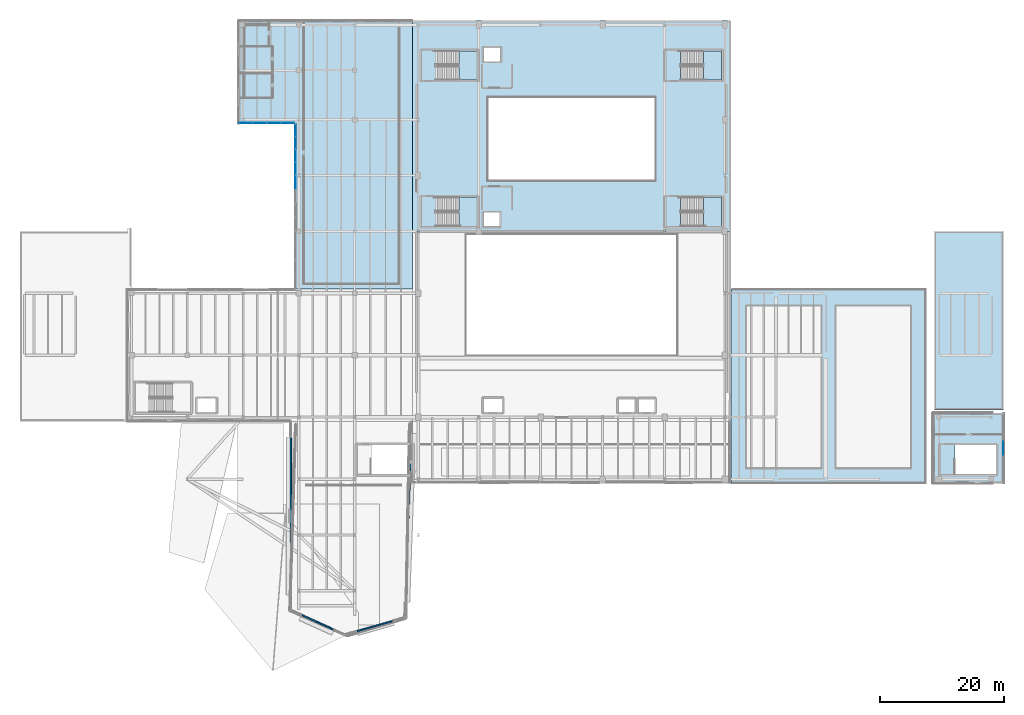
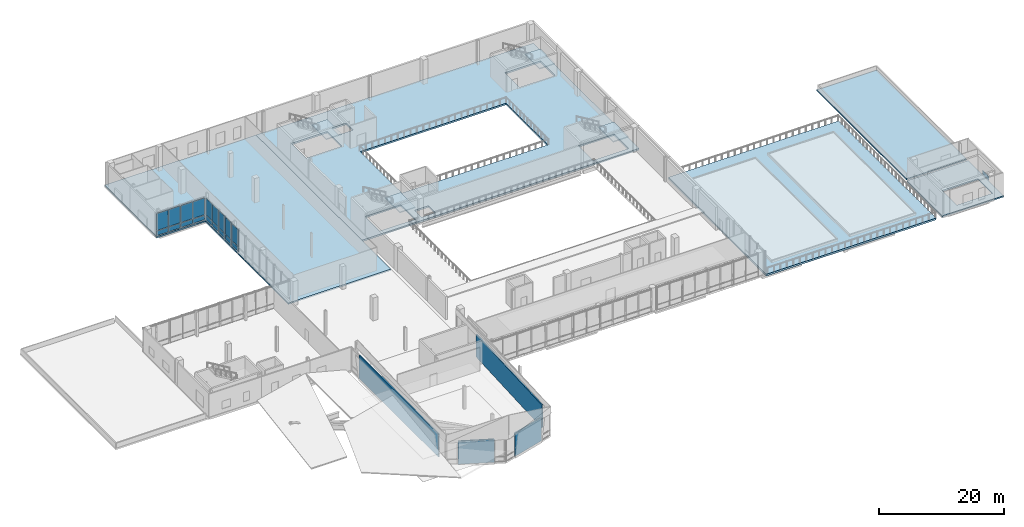
# One storey, part 27 of 41: 19 plates, 9 slabs, 4 walls, 9 elements without a shape of their own.
"""IFC4 building model written with IfcOpenShell, lengths in metres."""

import ifcopenshell
import ifcopenshell.guid

model = None  # the IFC model being written
_history = None  # IfcOwnerHistory: only IFC2X3 demands one
_inside = {}  # id of a spatial element -> (the spatial element, [elements in it])
_under = {}  # id of a project, library or spatial element -> (it, [spatial elements below it])
_declared = {}  # id of a project -> (the project, [libraries it declares])
_typed = {}  # id of a type object -> (the type object, [elements of that type])
_made_of = {}  # id of a material, layer set ... -> (it, [elements and type objects made of it])


def new_model(schema):
    """Start an empty IFC model of exactly this schema.

    Asked for "IFC4X3", IfcOpenShell would pick the latest addendum, in which some entities
    have other attributes; the version numbers below select the first issue.
    IFC2X3 requires an IfcOwnerHistory on every rooted entity: one is made here for all.
    """
    global model, _history
    if schema == "IFC4X3":
        model = ifcopenshell.file(schema_version=(4, 3, 0, 0))
    else:
        model = ifcopenshell.file(schema=schema)
    _inside.clear()
    _under.clear()
    _declared.clear()
    _typed.clear()
    _made_of.clear()
    _history = None
    if model.schema == "IFC2X3":
        org = make("IfcOrganization", Name="unknown")
        user = make(
            "IfcPersonAndOrganization",
            ThePerson=make("IfcPerson", FamilyName="unknown"),
            TheOrganization=org,
        )
        app = make(
            "IfcApplication",
            ApplicationDeveloper=org,
            Version="unknown",
            ApplicationFullName="unknown",
            ApplicationIdentifier="unknown",
        )
        _history = make(
            "IfcOwnerHistory",
            OwningUser=user,
            OwningApplication=app,
            ChangeAction="ADDED",
            CreationDate=0,
        )
    return model


def make(cls, **values):
    """One entity of the class cls with the attributes given. An attribute that is None is left unset."""
    return model.create_entity(
        cls, **{name: value for name, value in values.items() if value is not None}
    )


def rooted(cls, **values):
    """An entity with a GlobalId (a new one), such as an element, a storey or a relation."""
    return make(cls, GlobalId=ifcopenshell.guid.new(), OwnerHistory=_history, **values)


def si_unit(unit_type, name, prefix=None):
    """IfcSIUnit, for example si_unit("LENGTHUNIT", "METRE", prefix="MILLI")."""
    return make("IfcSIUnit", UnitType=unit_type, Prefix=prefix, Name=name)


def assignment(units):
    """IfcUnitAssignment: the units of a project."""
    return None if units is None else make("IfcUnitAssignment", Units=units)


def point(xyz):
    """IfcCartesianPoint."""
    return None if xyz is None else make("IfcCartesianPoint", Coordinates=xyz)


def direction(xyz):
    """IfcDirection."""
    return None if xyz is None else make("IfcDirection", DirectionRatios=xyz)


def frame(location, z_axis=None, x_axis=None):
    """IfcAxis2Placement3D, a coordinate frame: its origin and axes. An axis left out is left unset."""
    return make(
        "IfcAxis2Placement3D",
        Location=point(location),
        Axis=direction(z_axis),
        RefDirection=direction(x_axis),
    )


def frame_2d(location, x_axis=None):
    """IfcAxis2Placement2D, a coordinate frame in the plane: its origin and x axis."""
    return make(
        "IfcAxis2Placement2D", Location=point(location), RefDirection=direction(x_axis)
    )


def origin():
    """The frame at (0, 0, 0) with its axes left unset."""
    return frame((0.0, 0.0, 0.0))


def origin_2d():
    """The frame at (0, 0) in the plane with its x axis left unset."""
    return frame_2d((0.0, 0.0))


def place(relative_to, where):
    """IfcLocalPlacement: puts the frame where relative to a parent placement (None: the world)."""
    return make(
        "IfcLocalPlacement", PlacementRelTo=relative_to, RelativePlacement=where
    )


def context(
    kind, dimensions, precision=None, world=None, true_north=None, identifier=None
):
    """IfcGeometricRepresentationContext, for example the 3D "Model" context."""
    return make(
        "IfcGeometricRepresentationContext",
        ContextIdentifier=identifier,
        ContextType=kind,
        CoordinateSpaceDimension=dimensions,
        Precision=precision,
        WorldCoordinateSystem=world,
        TrueNorth=true_north,
    )


def subcontext(parent, identifier, kind, view, scale=None):
    """IfcGeometricRepresentationSubContext, for example "Body" below "Model"."""
    return make(
        "IfcGeometricRepresentationSubContext",
        ContextIdentifier=identifier,
        ContextType=kind,
        ParentContext=parent,
        TargetScale=scale,
        TargetView=view,
    )


def project(units=None, contexts=None):
    """IfcProject with its units and contexts."""
    return rooted(
        "IfcProject",
        Name="project",
        RepresentationContexts=contexts,
        UnitsInContext=assignment(units),
    )


def spatial(cls, under=None, at=None, **own):
    """A site, building, storey or space (cls), placed at a placement, below another one or the project."""
    s = rooted(cls, ObjectPlacement=at, **own)
    if under is not None:
        _under.setdefault(under.id(), (under, []))[1].append(s)
    return s


def polyline(points):
    """IfcPolyline through the points."""
    return make("IfcPolyline", Points=[point(p) for p in points])


def profile(cls, at=None, kind="AREA", **sizes):
    """A parametric profile (cls). Its sizes go by their IFC names, for example OverallWidth=200.0."""
    return make(cls, ProfileType=kind, Position=at, **sizes)


def rectangle(**sizes):
    """IfcRectangleProfileDef."""
    return profile("IfcRectangleProfileDef", **sizes)


def outline(outer, holes=None, kind="AREA"):
    """IfcArbitraryClosedProfileDef: a profile drawn as a closed curve; with holes, ...WithVoids."""
    if holes is None:
        return make("IfcArbitraryClosedProfileDef", ProfileType=kind, OuterCurve=outer)
    return make(
        "IfcArbitraryProfileDefWithVoids",
        ProfileType=kind,
        OuterCurve=outer,
        InnerCurves=holes,
    )


def extrude(swept, where, along, depth):
    """IfcExtrudedAreaSolid: the profile swept, set in the frame where, extruded along a direction by depth."""
    return make(
        "IfcExtrudedAreaSolid",
        SweptArea=swept,
        Position=where,
        ExtrudedDirection=direction(along),
        Depth=depth,
    )


def shape(context_of_items, identifier, shape_type, items):
    """IfcShapeRepresentation: the items that make up one representation, for example the "Body"."""
    return make(
        "IfcShapeRepresentation",
        ContextOfItems=context_of_items,
        RepresentationIdentifier=identifier,
        RepresentationType=shape_type,
        Items=items,
    )


def material(Name=None, Category=None):
    """IfcMaterial."""
    return make("IfcMaterial", Name=Name, Category=Category)


def layer(
    of_material, thickness, ventilated=None, Name=None, Category=None, Priority=None
):
    """IfcMaterialLayer: one layer of a wall or slab, of a material (None: an air gap)."""
    return make(
        "IfcMaterialLayer",
        Material=of_material,
        LayerThickness=thickness,
        IsVentilated=ventilated,
        Name=Name,
        Category=Category,
        Priority=Priority,
    )


def layer_set(layers, Name=None):
    """IfcMaterialLayerSet."""
    return make("IfcMaterialLayerSet", MaterialLayers=layers, LayerSetName=Name)


def made_of(thing, what):
    """Note that an element or type object is made of a material, layer set ...; save() writes the relation."""
    if what is not None:
        _made_of.setdefault(what.id(), (what, []))[1].append(thing)
    return thing


def type_object(cls, material=None, **own):
    """A type object (cls), such as IfcWallType, which elements share."""
    return made_of(rooted(cls, **own), material)


def element(
    cls,
    number,
    at=None,
    inside=None,
    cuts=None,
    type_object=None,
    material=None,
    context=None,
    identifier="Body",
    shape_type=None,
    held_by="IfcProductDefinitionShape",
    body=None,
    shapes=None,
    **own,
):
    """One element of the class cls, such as IfcWall. Its Tag is "e" and its number.

    at: its placement. inside: the storey or other place that contains it. cuts: it is an
    opening in that element (IfcRelVoidsElement). A single representation is given by context,
    identifier, shape_type and body (its items); several are given by shapes. held_by: the class
    of the entity that holds the representations. save() writes the other relations.
    """
    e = rooted(cls, Tag="e%d" % number, ObjectPlacement=at, **own)
    if body is not None:
        shapes = [shape(context, identifier, shape_type, body)]
    if shapes is not None:
        e.Representation = make(held_by, Representations=shapes)
    if inside is not None:
        _inside.setdefault(inside.id(), (inside, []))[1].append(e)
    if cuts is not None:
        rooted(
            "IfcRelVoidsElement", RelatingBuildingElement=cuts, RelatedOpeningElement=e
        )
    if type_object is not None:
        _typed.setdefault(type_object.id(), (type_object, []))[1].append(e)
    return made_of(e, material)


def aggregate(whole, parts):
    """IfcRelAggregates: a whole, such as a stair, and the parts it consists of."""
    return rooted("IfcRelAggregates", RelatingObject=whole, RelatedObjects=parts)


def save(model, path):
    """Write the relations noted so far, then the file.

    IfcRelAggregates (storeys below a building ...), IfcRelContainedInSpatialStructure (elements
    in a storey), IfcRelDefinesByType, IfcRelAssociatesMaterial and IfcRelDeclares: one each for
    every whole, place, type object, material and project.
    """
    for whole, parts in _under.values():
        aggregate(whole, parts)
    for where, things in _inside.values():
        rooted(
            "IfcRelContainedInSpatialStructure",
            RelatedElements=things,
            RelatingStructure=where,
        )
    for kind, things in _typed.values():
        rooted("IfcRelDefinesByType", RelatedObjects=things, RelatingType=kind)
    for what, things in _made_of.values():
        rooted("IfcRelAssociatesMaterial", RelatedObjects=things, RelatingMaterial=what)
    for by, libraries in _declared.values():
        rooted("IfcRelDeclares", RelatingContext=by, RelatedDefinitions=libraries)
    model.write(path)


model = new_model("IFC4")

# Units and contexts
model_context = context("Model", 3, precision=1e-05, world=origin(), true_north=direction((0.0, 1.0)))
body_context = subcontext(model_context, "Body", "Model", "MODEL_VIEW")
ifc_project = project(units=[si_unit("LENGTHUNIT", "METRE"), si_unit("AREAUNIT", "SQUARE_METRE"), si_unit("VOLUMEUNIT", "CUBIC_METRE"), si_unit("PLANEANGLEUNIT", "RADIAN"), si_unit("MASSUNIT", "GRAM", prefix="KILO")], contexts=[model_context])

# Site, building, storey
site_placement = place(None, origin())
site = spatial("IfcSite", under=ifc_project, at=site_placement, CompositionType="ELEMENT")
building_placement = place(site_placement, origin())
building = spatial("IfcBuilding", under=site, at=building_placement, Name="Trimount Lyric Opera House", CompositionType="ELEMENT")
storey_placement = place(building_placement, frame((0.0, 0.0, 20.0)))
storey = spatial("IfcBuildingStorey", under=building, at=storey_placement, Name="L04", CompositionType="ELEMENT", Elevation=20.0)

# Curtain wall, plate
ifc_material_1 = material(Name="Thermally Broken Aluminium and Low-E Glass", Category="aluminium")
curtain_wall_type = type_object("IfcCurtainWallType", Name="CW-03", PredefinedType="NOTDEFINED", material=ifc_material_1)
curtain_wall_1_placement = place(storey_placement, origin())
curtain_wall_1 = element("IfcCurtainWall", 1, at=curtain_wall_1_placement, inside=storey, type_object=curtain_wall_type, Name="L04 curtain wall 316", PredefinedType="NOTDEFINED")
ifc_material_2 = material(Name="Triple Low-E Acoustic Laminated Glass", Category="glass")
ifc_layer_1 = layer(ifc_material_2, 0.035888671875)
ifc_layer_set_1 = layer_set([ifc_layer_1], Name="CWP-01")
plate_type_1 = type_object("IfcPlateType", Name="CWP-01", PredefinedType="CURTAIN_PANEL", material=ifc_layer_set_1)
plate_1_placement = place(storey_placement, frame((44.4599609375, 91.88134765625, 0.13525390625), z_axis=(0.0, 0.0, 1.0), x_axis=(0.0, 1.0, 0.0)))
plate_1 = element("IfcPlate", 2, at=plate_1_placement, type_object=plate_type_1, Name="CW-03 panel 2.1", PredefinedType="CURTAIN_PANEL", context=body_context, shape_type="SweptSolid", body=[
    extrude(rectangle(XDim=2.107421875, YDim=0.035888671875, at=origin_2d()), origin(), (0.0, 0.0, 1.0), 0.847412109375),
])

# Curtain wall, plates
curtain_wall_2_placement = place(storey_placement, origin())
curtain_wall_2 = element("IfcCurtainWall", 3, at=curtain_wall_2_placement, inside=storey, type_object=curtain_wall_type, Name="L04 curtain wall 317", PredefinedType="NOTDEFINED")
plate_2_placement = place(storey_placement, frame((44.4599609375, 94.12255859375, 0.114990234375), z_axis=(0.0, 0.0, 1.0), x_axis=(0.0, 1.0, 0.0)))
plate_2 = element("IfcPlate", 4, at=plate_2_placement, type_object=plate_type_1, Name="CW-03 panel 1.1", PredefinedType="CURTAIN_PANEL", context=body_context, shape_type="SweptSolid", body=[
    extrude(rectangle(XDim=1.945068359375, YDim=0.035888671875, at=origin_2d()), origin(), (0.0, 0.0, 1.0), 0.87744140625),
])
plate_3_placement = place(storey_placement, frame((44.4599609375, 96.12744140625, 0.114990234375), z_axis=(0.0, 0.0, 1.0), x_axis=(0.0, 1.0, 0.0)))
plate_3 = element("IfcPlate", 5, at=plate_3_placement, type_object=plate_type_1, Name="CW-03 panel 2.1", PredefinedType="CURTAIN_PANEL", context=body_context, shape_type="SweptSolid", body=[
    extrude(rectangle(XDim=1.945068359375, YDim=0.035888671875, at=origin_2d()), origin(), (0.0, 0.0, 1.0), 0.87744140625),
])

curtain_wall_3_placement = place(storey_placement, origin())
curtain_wall_3 = element("IfcCurtainWall", 6, at=curtain_wall_3_placement, inside=storey, type_object=curtain_wall_type, Name="L04 curtain wall 318", PredefinedType="NOTDEFINED")
plate_4_placement = place(storey_placement, frame((44.4599609375, 98.284912109375, 0.159912109375), z_axis=(0.0, 0.0, 1.0), x_axis=(0.0, 1.0, 0.0)))
plate_4 = element("IfcPlate", 7, at=plate_4_placement, type_object=plate_type_1, Name="CW-03 panel 1.1", PredefinedType="CURTAIN_PANEL", context=body_context, shape_type="SweptSolid", body=[
    extrude(rectangle(XDim=1.929931640625, YDim=0.035888671875, at=origin_2d()), origin(), (0.0, 0.0, 1.0), 0.81005859375),
])
plate_5_placement = place(storey_placement, frame((44.4599609375, 100.284912109375, 0.159912109375), z_axis=(0.0, 0.0, 1.0), x_axis=(0.0, 1.0, 0.0)))
plate_5 = element("IfcPlate", 8, at=plate_5_placement, type_object=plate_type_1, Name="CW-03 panel 2.1", PredefinedType="CURTAIN_PANEL", context=body_context, shape_type="SweptSolid", body=[
    extrude(rectangle(XDim=1.929931640625, YDim=0.035888671875, at=origin_2d()), origin(), (0.0, 0.0, 1.0), 0.81005859375),
])

curtain_wall_4_placement = place(storey_placement, origin())
curtain_wall_4 = element("IfcCurtainWall", 9, at=curtain_wall_4_placement, inside=storey, type_object=curtain_wall_type, Name="L04 curtain wall 319", PredefinedType="NOTDEFINED")
plate_6_placement = place(storey_placement, frame((43.1787109375, 101.4599609375, 0.13525390625), z_axis=(0.0, 0.0, 1.0), x_axis=(-1.0, 0.0, 0.0)))
plate_6 = element("IfcPlate", 10, at=plate_6_placement, type_object=plate_type_1, Name="CW-03 panel 1.1", PredefinedType="CURTAIN_PANEL", context=body_context, shape_type="SweptSolid", body=[
    extrude(rectangle(XDim=2.152587890625, YDim=0.035888671875, at=origin_2d()), origin(), (0.0, 0.0, 1.0), 0.847412109375),
])
plate_7_placement = place(storey_placement, frame((40.961181640625, 101.4599609375, 0.13525390625), z_axis=(0.0, 0.0, 1.0), x_axis=(-1.0, 0.0, 0.0)))
plate_7 = element("IfcPlate", 11, at=plate_7_placement, type_object=plate_type_1, Name="CW-03 panel 2.1", PredefinedType="CURTAIN_PANEL", context=body_context, shape_type="SweptSolid", body=[
    extrude(rectangle(XDim=2.152587890625, YDim=0.035888671875, at=origin_2d()), origin(), (0.0, 0.0, 1.0), 0.847412109375),
])

curtain_wall_5_placement = place(storey_placement, origin())
curtain_wall_5 = element("IfcCurtainWall", 12, at=curtain_wall_5_placement, inside=storey, type_object=curtain_wall_type, Name="L04 curtain wall 320", PredefinedType="NOTDEFINED")
plate_8_placement = place(storey_placement, frame((38.612548828125, 101.4599609375, 0.114990234375), z_axis=(0.0, 0.0, 1.0), x_axis=(-1.0, 0.0, 0.0)))
plate_8 = element("IfcPlate", 13, at=plate_8_placement, type_object=plate_type_1, Name="CW-03 panel 1.1", PredefinedType="CURTAIN_PANEL", context=body_context, shape_type="SweptSolid", body=[
    extrude(rectangle(XDim=2.114990234375, YDim=0.035888671875, at=origin_2d()), origin(), (0.0, 0.0, 1.0), 0.87744140625),
])
plate_9_placement = place(storey_placement, frame((36.4375, 101.4599609375, 0.114990234375), z_axis=(0.0, 0.0, 1.0), x_axis=(-1.0, 0.0, 0.0)))
plate_9 = element("IfcPlate", 14, at=plate_9_placement, type_object=plate_type_1, Name="CW-03 panel 2.1", PredefinedType="CURTAIN_PANEL", context=body_context, shape_type="SweptSolid", body=[
    extrude(rectangle(XDim=2.114990234375, YDim=0.035888671875, at=origin_2d()), origin(), (0.0, 0.0, 1.0), 0.87744140625),
])

# Plate
ifc_material_3 = material(Name="Insulated Aluminium Shadow-Box Spandrel Panel", Category="aluminium")
ifc_layer_2 = layer(ifc_material_3, 0.0419921875)
ifc_layer_set_2 = layer_set([ifc_layer_2], Name="CWP-04")
plate_type_2 = type_object("IfcPlateType", Name="CWP-04", PredefinedType="CURTAIN_PANEL", material=ifc_layer_set_2)
plate_10_placement = place(storey_placement, frame((44.4599609375, 91.88134765625, 1.117431640625), z_axis=(0.0, 0.0, 1.0), x_axis=(0.0, 1.0, 0.0)))
plate_10 = element("IfcPlate", 15, at=plate_10_placement, type_object=plate_type_2, Name="CW-03 panel 2.2", PredefinedType="CURTAIN_PANEL", context=body_context, shape_type="SweptSolid", body=[
    extrude(rectangle(XDim=2.107421875, YDim=0.035888671875, at=origin_2d()), origin(), (0.0, 0.0, 1.0), 3.28759765625),
])

aggregate(curtain_wall_1, [plate_1, plate_10])

plate_11_placement = place(storey_placement, frame((44.4599609375, 94.12255859375, 1.107666015625), z_axis=(0.0, 0.0, 1.0), x_axis=(0.0, 1.0, 0.0)))
plate_11 = element("IfcPlate", 16, at=plate_11_placement, type_object=plate_type_2, Name="CW-03 panel 1.2", PredefinedType="CURTAIN_PANEL", context=body_context, shape_type="SweptSolid", body=[
    extrude(rectangle(XDim=1.945068359375, YDim=0.035888671875, at=origin_2d()), origin(), (0.0, 0.0, 1.0), 3.3173828125),
])

plate_12_placement = place(storey_placement, frame((44.4599609375, 96.12744140625, 1.107666015625), z_axis=(0.0, 0.0, 1.0), x_axis=(0.0, 1.0, 0.0)))
plate_12 = element("IfcPlate", 17, at=plate_12_placement, type_object=plate_type_2, Name="CW-03 panel 2.2", PredefinedType="CURTAIN_PANEL", context=body_context, shape_type="SweptSolid", body=[
    extrude(rectangle(XDim=1.945068359375, YDim=0.035888671875, at=origin_2d()), origin(), (0.0, 0.0, 1.0), 3.3173828125),
])

aggregate(curtain_wall_2, [plate_2, plate_11, plate_3, plate_12])

plate_13_placement = place(storey_placement, frame((44.4599609375, 98.284912109375, 1.1298828125), z_axis=(0.0, 0.0, 1.0), x_axis=(0.0, 1.0, 0.0)))
plate_13 = element("IfcPlate", 18, at=plate_13_placement, type_object=plate_type_2, Name="CW-03 panel 1.2", PredefinedType="CURTAIN_PANEL", context=body_context, shape_type="SweptSolid", body=[
    extrude(rectangle(XDim=1.929931640625, YDim=0.035888671875, at=origin_2d()), origin(), (0.0, 0.0, 1.0), 3.25),
])

plate_14_placement = place(storey_placement, frame((44.4599609375, 100.284912109375, 1.1298828125), z_axis=(0.0, 0.0, 1.0), x_axis=(0.0, 1.0, 0.0)))
plate_14 = element("IfcPlate", 19, at=plate_14_placement, type_object=plate_type_2, Name="CW-03 panel 2.2", PredefinedType="CURTAIN_PANEL", context=body_context, shape_type="SweptSolid", body=[
    extrude(rectangle(XDim=1.929931640625, YDim=0.035888671875, at=origin_2d()), origin(), (0.0, 0.0, 1.0), 3.25),
])

aggregate(curtain_wall_3, [plate_4, plate_13, plate_5, plate_14])

plate_15_placement = place(storey_placement, frame((43.1787109375, 101.4599609375, 1.117431640625), z_axis=(0.0, 0.0, 1.0), x_axis=(-1.0, 0.0, 0.0)))
plate_15 = element("IfcPlate", 20, at=plate_15_placement, type_object=plate_type_2, Name="CW-03 panel 1.2", PredefinedType="CURTAIN_PANEL", context=body_context, shape_type="SweptSolid", body=[
    extrude(rectangle(XDim=2.152587890625, YDim=0.035888671875, at=origin_2d()), origin(), (0.0, 0.0, 1.0), 3.28759765625),
])

plate_16_placement = place(storey_placement, frame((40.961181640625, 101.4599609375, 1.117431640625), z_axis=(0.0, 0.0, 1.0), x_axis=(-1.0, 0.0, 0.0)))
plate_16 = element("IfcPlate", 21, at=plate_16_placement, type_object=plate_type_2, Name="CW-03 panel 2.2", PredefinedType="CURTAIN_PANEL", context=body_context, shape_type="SweptSolid", body=[
    extrude(rectangle(XDim=2.152587890625, YDim=0.035888671875, at=origin_2d()), origin(), (0.0, 0.0, 1.0), 3.28759765625),
])

aggregate(curtain_wall_4, [plate_6, plate_15, plate_7, plate_16])

plate_17_placement = place(storey_placement, frame((38.612548828125, 101.4599609375, 1.107666015625), z_axis=(0.0, 0.0, 1.0), x_axis=(-1.0, 0.0, 0.0)))
plate_17 = element("IfcPlate", 22, at=plate_17_placement, type_object=plate_type_2, Name="CW-03 panel 1.2", PredefinedType="CURTAIN_PANEL", context=body_context, shape_type="SweptSolid", body=[
    extrude(rectangle(XDim=2.114990234375, YDim=0.035888671875, at=origin_2d()), origin(), (0.0, 0.0, 1.0), 3.3173828125),
])

plate_18_placement = place(storey_placement, frame((36.4375, 101.4599609375, 1.107666015625), z_axis=(0.0, 0.0, 1.0), x_axis=(-1.0, 0.0, 0.0)))
plate_18 = element("IfcPlate", 23, at=plate_18_placement, type_object=plate_type_2, Name="CW-03 panel 2.2", PredefinedType="CURTAIN_PANEL", context=body_context, shape_type="SweptSolid", body=[
    extrude(rectangle(XDim=2.114990234375, YDim=0.035888671875, at=origin_2d()), origin(), (0.0, 0.0, 1.0), 3.3173828125),
])

aggregate(curtain_wall_5, [plate_8, plate_17, plate_9, plate_18])

ifc_material_4 = material(Name="Anodised Aluminium 6063-T6", Category="aluminium")
ifc_layer_3 = layer(ifc_material_4, 0.85009765625)
ifc_layer_set_3 = layer_set([ifc_layer_3], Name="FP-03")
plate_type_3 = type_object("IfcPlateType", Name="FP-03", PredefinedType="SHEET", material=ifc_layer_set_3)
plate_19_placement = place(storey_placement, frame((158.662109375, 49.0, 0.119873046875), z_axis=(0.0, 0.0, 1.0), x_axis=(0.0, 1.0, 0.0)))
element("IfcPlate", 24, at=plate_19_placement, inside=storey, type_object=plate_type_3, Name="Facade spandrel trim sheet 02", PredefinedType="SHEET", context=body_context, shape_type="SweptSolid", body=[
    extrude(rectangle(XDim=2.10009765625, YDim=0.0400390625, at=origin_2d()), origin(), (0.0, 0.0, 1.0), 0.85009765625),
])

# Slabs
ifc_material_5 = material(Name="Concrete C35/45", Category="concrete")
ifc_layer_4 = layer(ifc_material_5, 0.25)
ifc_layer_set_4 = layer_set([ifc_layer_4], Name="SL-FL250")
slab_type_1 = type_object("IfcSlabType", Name="SL-FL250", PredefinedType="FLOOR", material=ifc_layer_set_4)
slab_1_placement = place(storey_placement, frame((0.0, 0.0, -0.25)))
element("IfcSlab", 25, at=slab_1_placement, inside=storey, type_object=slab_type_1, Name="L04 floor slab L04-K5LOB", PredefinedType="FLOOR", context=body_context, shape_type="SweptSolid", body=[
    extrude(outline(polyline([(147.320068359375, 54.679931640625), (158.679931640625, 54.679931640625), (158.679931640625, 43.320068359375), (147.320068359375, 43.320068359375), (147.320068359375, 54.679931640625)]), holes=[polyline([(157.5, 49.5), (150.89990234375, 49.5), (150.89990234375, 44.800048828125), (157.5, 44.800048828125), (157.5, 49.5)])]), origin(), (0.0, 0.0, 1.0), 0.25),
])
ifc_material_6 = material(Name="Concrete C40/50", Category="concrete")
ifc_layer_5 = layer(ifc_material_6, 0.280029296875)
ifc_layer_set_5 = layer_set([ifc_layer_5], Name="SL-FL280")
slab_type_2 = type_object("IfcSlabType", Name="SL-FL280", PredefinedType="FLOOR", material=ifc_layer_set_5)
slab_2_placement = place(storey_placement, frame((0.0, 0.0, -0.280029296875)))
element("IfcSlab", 26, at=slab_2_placement, inside=storey, type_object=slab_type_2, Name="L04 floor slab L04-WEST-N", PredefinedType="FLOOR", context=body_context, shape_type="SweptSolid", body=[
    extrude(outline(polyline([(63.320068359375, 74.679931640625), (44.320068359375, 74.679931640625), (44.320068359375, 101.320068359375), (35.320068359375, 101.320068359375), (35.320068359375, 118.0), (63.320068359375, 118.0), (63.320068359375, 74.679931640625)])), origin(), (0.0, 0.0, 1.0), 0.280029296875),
])
ifc_material_7 = material(Name="Concrete C40/50", Category="concrete")
ifc_layer_6 = layer(ifc_material_7, 0.324951171875)
ifc_layer_set_6 = layer_set([ifc_layer_6], Name="SL-FL325")
slab_type_3 = type_object("IfcSlabType", Name="SL-FL325", PredefinedType="FLOOR", material=ifc_layer_set_6)
slab_3_placement = place(storey_placement, frame((0.0, 0.0, -0.324951171875)))
element("IfcSlab", 27, at=slab_3_placement, inside=storey, type_object=slab_type_3, Name="L04 floor slab L04-VOL1-N", PredefinedType="FLOOR", context=body_context, shape_type="SweptSolid", body=[
    extrude(outline(polyline([(114.679931640625, 118.0), (114.679931640625, 84.0), (63.320068359375, 84.0), (63.320068359375, 118.0), (114.679931640625, 118.0)]), holes=[polyline([(113.199951171875, 89.5), (106.60009765625, 89.5), (106.60009765625, 84.800048828125), (113.199951171875, 84.800048828125), (113.199951171875, 89.5)]), polyline([(113.199951171875, 113.10009765625), (106.60009765625, 113.10009765625), (106.60009765625, 108.39990234375), (113.199951171875, 108.39990234375), (113.199951171875, 113.10009765625)]), polyline([(75.5, 92.199951171875), (102.5, 92.199951171875), (102.5, 105.60009765625), (75.5, 105.60009765625), (75.5, 92.199951171875)]), polyline([(74.800048828125, 113.60009765625), (74.800048828125, 111.39990234375), (77.5, 111.39990234375), (77.5, 113.60009765625), (74.800048828125, 113.60009765625)]), polyline([(74.800048828125, 87.0), (74.800048828125, 84.800048828125), (77.39990234375, 84.800048828125), (77.39990234375, 87.0), (74.800048828125, 87.0)]), polyline([(73.699951171875, 89.5), (67.10009765625, 89.5), (67.10009765625, 84.800048828125), (73.699951171875, 84.800048828125), (73.699951171875, 89.5)]), polyline([(73.699951171875, 113.10009765625), (67.10009765625, 113.10009765625), (67.10009765625, 108.39990234375), (73.699951171875, 108.39990234375), (73.699951171875, 113.10009765625)])]), origin(), (0.0, 0.0, 1.0), 0.324951171875),
])

# Stair, slab
ifc_material_8 = material(Name="Concrete C40/50", Category="concrete")
stair_type = type_object("IfcStairType", Name="STR-CORE-B", PredefinedType="TWO_QUARTER_TURN_STAIR", material=ifc_material_8)
stair_1_placement = place(storey_placement, origin())
stair_1 = element("IfcStair", 28, at=stair_1_placement, inside=storey, type_object=stair_type, Name="L04 Exit Stair ST-01", PredefinedType="TWO_QUARTER_TURN_STAIR")
ifc_material_9 = material(Name="Concrete C40/50", Category="concrete")
ifc_layer_7 = layer(ifc_material_9, 0.199951171875)
ifc_layer_set_7 = layer_set([ifc_layer_7], Name="SL-LND200")
slab_type_4 = type_object("IfcSlabType", Name="SL-LND200", PredefinedType="LANDING", material=ifc_layer_set_7)
slab_4_placement = place(storey_placement, frame((0.0, 0.0, 2.199951171875)))
slab_4 = element("IfcSlab", 29, at=slab_4_placement, type_object=slab_type_4, Name="ST-01 landing 1", PredefinedType="LANDING", context=body_context, shape_type="SweptSolid", body=[
    extrude(outline(polyline([(70.820068359375, 108.39990234375), (73.699951171875, 108.39990234375), (73.699951171875, 113.10009765625), (70.820068359375, 113.10009765625), (70.820068359375, 108.39990234375)])), origin(), (0.0, 0.0, 1.0), 0.199951171875),
])
aggregate(stair_1, [slab_4])

stair_2_placement = place(storey_placement, origin())
stair_2 = element("IfcStair", 30, at=stair_2_placement, inside=storey, type_object=stair_type, Name="L04 Exit Stair ST-02", PredefinedType="TWO_QUARTER_TURN_STAIR")
slab_5_placement = place(storey_placement, frame((0.0, 0.0, 2.199951171875)))
slab_5 = element("IfcSlab", 31, at=slab_5_placement, type_object=slab_type_4, Name="ST-02 landing 1", PredefinedType="LANDING", context=body_context, shape_type="SweptSolid", body=[
    extrude(outline(polyline([(110.320068359375, 108.39990234375), (113.199951171875, 108.39990234375), (113.199951171875, 113.10009765625), (110.320068359375, 113.10009765625), (110.320068359375, 108.39990234375)])), origin(), (0.0, 0.0, 1.0), 0.199951171875),
])
aggregate(stair_2, [slab_5])

stair_3_placement = place(storey_placement, origin())
stair_3 = element("IfcStair", 32, at=stair_3_placement, inside=storey, type_object=stair_type, Name="L04 Exit Stair ST-03", PredefinedType="TWO_QUARTER_TURN_STAIR")
slab_6_placement = place(storey_placement, frame((0.0, 0.0, 2.199951171875)))
slab_6 = element("IfcSlab", 33, at=slab_6_placement, type_object=slab_type_4, Name="ST-03 landing 1", PredefinedType="LANDING", context=body_context, shape_type="SweptSolid", body=[
    extrude(outline(polyline([(70.820068359375, 84.800048828125), (73.699951171875, 84.800048828125), (73.699951171875, 89.5), (70.820068359375, 89.5), (70.820068359375, 84.800048828125)])), origin(), (0.0, 0.0, 1.0), 0.199951171875),
])
aggregate(stair_3, [slab_6])

stair_4_placement = place(storey_placement, origin())
stair_4 = element("IfcStair", 34, at=stair_4_placement, inside=storey, type_object=stair_type, Name="L04 Exit Stair ST-04", PredefinedType="TWO_QUARTER_TURN_STAIR")
slab_7_placement = place(storey_placement, frame((0.0, 0.0, 2.199951171875)))
slab_7 = element("IfcSlab", 35, at=slab_7_placement, type_object=slab_type_4, Name="ST-04 landing 1", PredefinedType="LANDING", context=body_context, shape_type="SweptSolid", body=[
    extrude(outline(polyline([(110.320068359375, 84.800048828125), (113.199951171875, 84.800048828125), (113.199951171875, 89.5), (110.320068359375, 89.5), (110.320068359375, 84.800048828125)])), origin(), (0.0, 0.0, 1.0), 0.199951171875),
])
aggregate(stair_4, [slab_7])

# Slabs
ifc_material_10 = material(Name="Concrete C40/50", Category="concrete")
ifc_layer_8 = layer(ifc_material_10, 0.2900390625)
ifc_layer_set_8 = layer_set([ifc_layer_8], Name="SL-RF290")
slab_type_5 = type_object("IfcSlabType", Name="SL-RF290", PredefinedType="ROOF", material=ifc_layer_set_8)
slab_8_placement = place(storey_placement, frame((0.0, 0.0, -0.2900390625)))
element("IfcSlab", 36, at=slab_8_placement, inside=storey, type_object=slab_type_5, Name="East upper atelier step roof", PredefinedType="ROOF", context=body_context, shape_type="SweptSolid", body=[
    extrude(outline(polyline([(158.679931640625, 84.0), (158.679931640625, 55.199951171875), (147.550048828125, 55.199951171875), (147.550048828125, 84.0), (158.679931640625, 84.0)])), origin(), (0.0, 0.0, 1.0), 0.2900390625),
])
ifc_material_11 = material(Name="Concrete C40/50", Category="concrete")
ifc_layer_9 = layer(ifc_material_11, 0.35009765625)
ifc_layer_set_9 = layer_set([ifc_layer_9], Name="SL-TERR350")
slab_type_6 = type_object("IfcSlabType", Name="SL-TERR350", PredefinedType="FLOOR", material=ifc_layer_set_9)
slab_9_placement = place(storey_placement, frame((0.0, 0.0, -0.35009765625)))
element("IfcSlab", 37, at=slab_9_placement, inside=storey, type_object=slab_type_6, Name="L04 terrace slab L04-RG-EAST", PredefinedType="FLOOR", context=body_context, shape_type="SweptSolid", body=[
    extrude(outline(polyline([(146.199951171875, 74.679931640625), (146.199951171875, 43.320068359375), (114.679931640625, 43.320068359375), (114.679931640625, 74.679931640625), (146.199951171875, 74.679931640625)])), origin(), (0.0, 0.0, 1.0), 0.35009765625),
])

# Walls
ifc_material_12 = material(Name="Concrete C35/45", Category="concrete")
ifc_layer_10 = layer(ifc_material_12, 0.219970703125)
ifc_layer_set_10 = layer_set([ifc_layer_10], Name="WL-SW220")
wall_type = type_object("IfcWallType", Name="WL-SW220", PredefinedType="SOLIDWALL", material=ifc_layer_set_10)
wall_1_placement = place(storey_placement, frame((60.232666015625, 21.15234375, 0.0), z_axis=(0.0, 0.0, 1.0), x_axis=(-0.961522452741, -0.274726359993, 0.0)))
element("IfcWall", 38, at=wall_1_placement, inside=storey, type_object=wall_type, Name="L04 broken-crystal backup wall 288", PredefinedType="SOLIDWALL", context=body_context, shape_type="SweptSolid", body=[
    extrude(rectangle(XDim=6.162841796875, YDim=0.219970703125, at=frame_2d((3.08154296875, 0.0))), origin(), (0.0, 0.0, 1.0), 4.5400390625),
])
wall_2_placement = place(storey_placement, frame((50.69775390625, 19.694580078125, 0.0), z_axis=(0.0, 0.0, 1.0), x_axis=(-0.91036504252, 0.413806101161, 0.0)))
element("IfcWall", 39, at=wall_2_placement, inside=storey, type_object=wall_type, Name="L04 broken-crystal backup wall 289", PredefinedType="SOLIDWALL", context=body_context, shape_type="SweptSolid", body=[
    extrude(rectangle(XDim=5.82666015625, YDim=0.219970703125, at=frame_2d((2.913330078125, 0.0))), origin(), (0.0, 0.0, 1.0), 4.5400390625),
])
wall_3_placement = place(storey_placement, frame((43.7099609375, 25.330078125, 0.0), z_axis=(0.0, 0.0, 1.0), x_axis=(0.0, 1.0, 0.0)))
element("IfcWall", 40, at=wall_3_placement, inside=storey, type_object=wall_type, Name="L04 broken-crystal backup wall 290", PredefinedType="SOLIDWALL", context=body_context, shape_type="SweptSolid", body=[
    extrude(rectangle(XDim=25.4599609375, YDim=0.219970703125, at=frame_2d((12.72998046875, 0.0))), origin(), (0.0, 0.0, 1.0), 4.5400390625),
])
wall_4_placement = place(storey_placement, frame((62.969970703125, 46.52490234375, 0.0), z_axis=(0.0, 0.0, 1.0), x_axis=(-0.035281117646, -0.999377427571, 0.0)))
element("IfcWall", 41, at=wall_4_placement, inside=storey, type_object=wall_type, Name="L04 broken-crystal backup wall 314", PredefinedType="SOLIDWALL", context=body_context, shape_type="SweptSolid", body=[
    extrude(rectangle(XDim=22.406494140625, YDim=0.219970703125, at=frame_2d((11.203125, 0.0))), origin(), (0.0, 0.0, 1.0), 4.449951171875),
])

save(model, "model.ifc")
